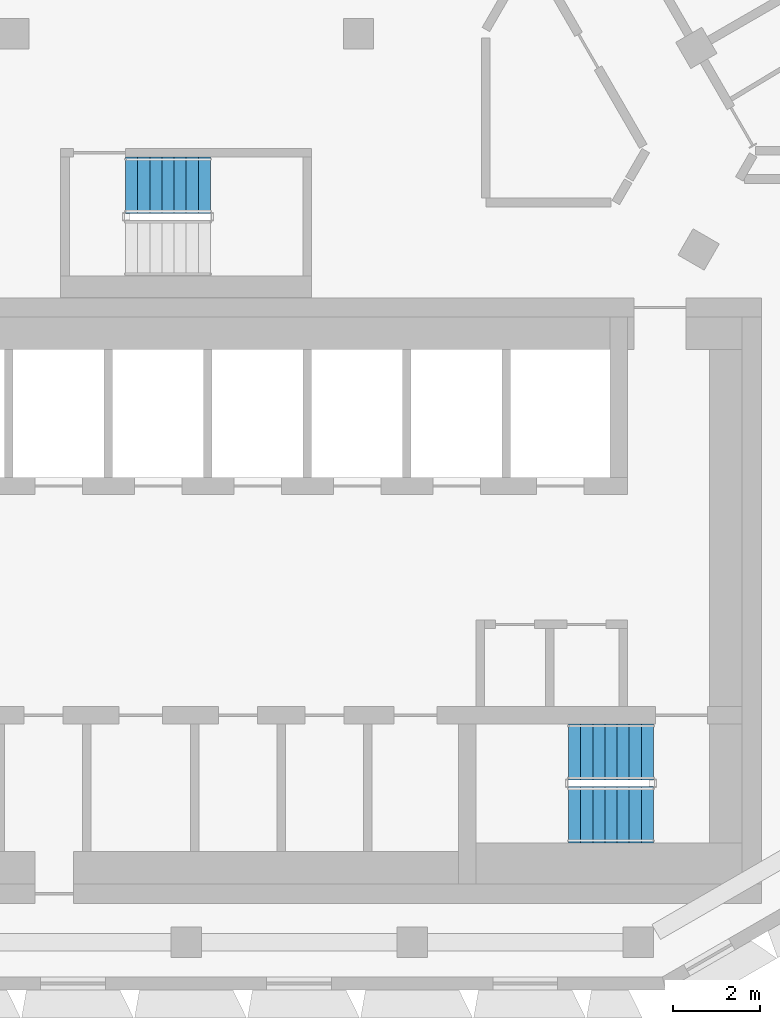
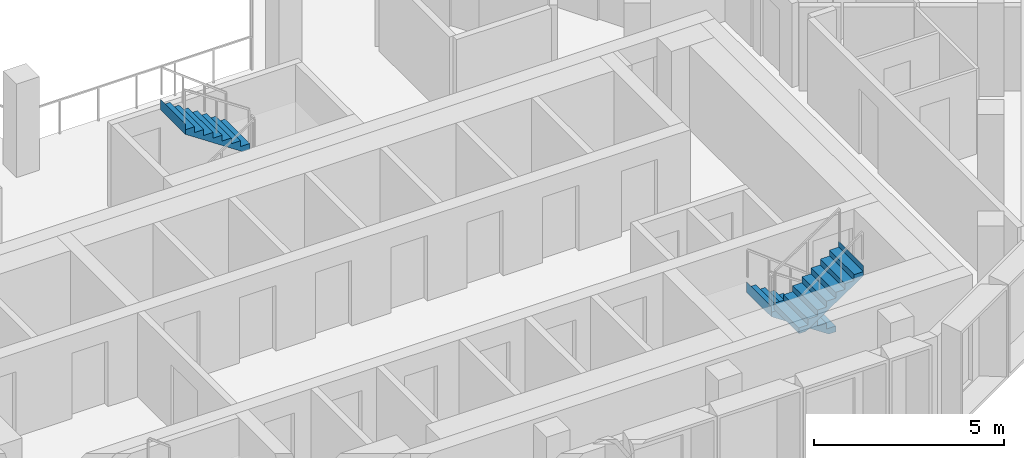
# One storey, part 10 of 15: 3 stair flights, 2 elements without a shape of their own.
"""IFC4 building model written with IfcOpenShell, lengths in metres."""

from ifc_helpers import new_model, si_unit, direction, frame, origin, place, context, subcontext, project, spatial, triangles, material, type_object, element, aggregate, save


model = new_model("IFC4")

# Units and contexts
model_context = context("Model", 3, precision=1e-05, world=origin(), true_north=direction((0.0, 1.0)))
body_context = subcontext(model_context, "Body", "Model", "MODEL_VIEW")
ifc_project = project(units=[si_unit("LENGTHUNIT", "METRE"), si_unit("AREAUNIT", "SQUARE_METRE"), si_unit("VOLUMEUNIT", "CUBIC_METRE"), si_unit("PLANEANGLEUNIT", "RADIAN"), si_unit("MASSUNIT", "GRAM", prefix="KILO")], contexts=[model_context])

# Site, building, storey
site_placement = place(None, origin())
site = spatial("IfcSite", under=ifc_project, at=site_placement, CompositionType="ELEMENT")
building_placement = place(site_placement, origin())
building = spatial("IfcBuilding", under=site, at=building_placement, Name="Beryl Residences", CompositionType="ELEMENT")
storey_placement = place(building_placement, frame((0.0, 0.0, 205.800048828125)))
storey = spatial("IfcBuildingStorey", under=building, at=storey_placement, Name="L63", CompositionType="ELEMENT", Elevation=205.800048828125)

# Stair, stair flights
ifc_material_1 = material(Name="Concrete C40/50", Category="concrete")
stair_type = type_object("IfcStairType", Name="ST1 protected exit stair, half-turn, 1300 mm flights", PredefinedType="HALF_TURN_STAIR", material=ifc_material_1)
stair_1_placement = place(storey_placement, origin())
stair_1 = element("IfcStair", 1, at=stair_1_placement, inside=storey, type_object=stair_type, Name="L63 PROTECTED EXIT STAIR ST-3", PredefinedType="HALF_TURN_STAIR")
ifc_material_2 = material(Name="Concrete C40/50", Category="concrete")
stair_flight_type = type_object("IfcStairFlightType", Name="SF1 stair flight 1300 mm", PredefinedType="STRAIGHT", material=ifc_material_2)
stair_flight_1_placement = place(storey_placement, frame((10.800048828125, -15.5, 0.0), z_axis=(0.0, 0.0, 1.0), x_axis=(-1.0, 0.0, 0.0)))
stair_flight_1 = element("IfcStairFlight", 2, at=stair_flight_1_placement, type_object=stair_flight_type, Name="ST-3 flight 1", NumberOfRisers=8, NumberOfTreads=7, PredefinedType="STRAIGHT", RiserHeight=0.1875, TreadLength=0.28, context=body_context, shape_type="Tessellation", body=[
    triangles([(0.0, -0.64990234375, 0.0), (0.0, -0.324951171875, 0.0), (0.0, 0.0, 0.0), (0.0, 0.324951171875, 0.0), (0.0, 0.64990234375, 0.0), (0.0, -0.64990234375, 0.1875), (0.0, -0.324951171875, 0.1875), (0.0, 0.0, 0.1875), (0.0, 0.324951171875, 0.1875), (0.0, 0.64990234375, 0.1875), (0.280029296875, -0.64990234375, 0.1875), (0.280029296875, -0.324951171875, 0.1875), (0.280029296875, 0.0, 0.1875), (0.280029296875, 0.324951171875, 0.1875), (0.280029296875, 0.64990234375, 0.1875), (0.280029296875, -0.64990234375, 0.375), (0.280029296875, -0.324951171875, 0.375), (0.280029296875, 0.0, 0.375), (0.280029296875, 0.324951171875, 0.375), (0.280029296875, 0.64990234375, 0.375), (0.56005859375, -0.64990234375, 0.375), (0.56005859375, -0.324951171875, 0.375), (0.56005859375, 0.0, 0.375), (0.56005859375, 0.324951171875, 0.375), (0.56005859375, 0.64990234375, 0.375), (0.56005859375, -0.64990234375, 0.5625), (0.56005859375, -0.324951171875, 0.5625), (0.56005859375, 0.0, 0.5625), (0.56005859375, 0.324951171875, 0.5625), (0.56005859375, 0.64990234375, 0.5625), (0.840087890625, -0.64990234375, 0.5625), (0.840087890625, -0.324951171875, 0.5625), (0.840087890625, 0.0, 0.5625), (0.840087890625, 0.324951171875, 0.5625), (0.840087890625, 0.64990234375, 0.5625), (0.840087890625, -0.64990234375, 0.75), (0.840087890625, -0.324951171875, 0.75), (0.840087890625, 0.0, 0.75), (0.840087890625, 0.324951171875, 0.75), (0.840087890625, 0.64990234375, 0.75), (1.1201171875, -0.64990234375, 0.75), (1.1201171875, -0.324951171875, 0.75), (1.1201171875, 0.0, 0.75), (1.1201171875, 0.324951171875, 0.75), (1.1201171875, 0.64990234375, 0.75), (1.1201171875, -0.64990234375, 0.9375), (1.1201171875, -0.324951171875, 0.9375), (1.1201171875, 0.0, 0.9375), (1.1201171875, 0.324951171875, 0.9375), (1.1201171875, 0.64990234375, 0.9375), (1.39990234375, -0.64990234375, 0.9375), (1.39990234375, -0.324951171875, 0.9375), (1.39990234375, 0.0, 0.9375), (1.39990234375, 0.324951171875, 0.9375), (1.39990234375, 0.64990234375, 0.9375), (1.39990234375, -0.64990234375, 1.125), (1.39990234375, -0.324951171875, 1.125), (1.39990234375, 0.0, 1.125), (1.39990234375, 0.324951171875, 1.125), (1.39990234375, 0.64990234375, 1.125), (1.679931640625, -0.64990234375, 1.125), (1.679931640625, -0.324951171875, 1.125), (1.679931640625, 0.0, 1.125), (1.679931640625, 0.324951171875, 1.125), (1.679931640625, 0.64990234375, 1.125), (1.679931640625, -0.64990234375, 1.3125), (1.679931640625, -0.324951171875, 1.3125), (1.679931640625, 0.0, 1.3125), (1.679931640625, 0.324951171875, 1.3125), (1.679931640625, 0.64990234375, 1.3125), (1.9599609375, -0.64990234375, 1.3125), (1.9599609375, -0.324951171875, 1.3125), (1.9599609375, 0.0, 1.3125), (1.9599609375, 0.324951171875, 1.3125), (1.9599609375, 0.64990234375, 1.3125), (1.9599609375, -0.64990234375, 1.5), (1.9599609375, -0.324951171875, 1.5), (1.9599609375, 0.0, 1.5), (1.9599609375, 0.324951171875, 1.5), (1.9599609375, 0.64990234375, 1.5), (1.9609375, -0.64990234375, 1.5), (1.9609375, -0.324951171875, 1.5), (1.9609375, 0.0, 1.5), (1.9609375, 0.324951171875, 1.5), (1.9609375, 0.64990234375, 1.5), (1.9609375, -0.64990234375, 1.16796875), (1.9609375, -0.324951171875, 1.16796875), (1.9609375, 0.0, 1.16796875), (1.9609375, 0.324951171875, 1.16796875), (1.9609375, 0.64990234375, 1.16796875), (0.216796875, -0.64990234375, 0.0), (0.216796875, -0.324951171875, 0.0), (0.216796875, 0.0, 0.0), (0.216796875, 0.324951171875, 0.0), (0.216796875, 0.64990234375, 0.0)], [[1, 6, 7], [1, 7, 2], [2, 7, 8], [2, 8, 3], [3, 8, 9], [3, 9, 4], [4, 9, 10], [4, 10, 5], [6, 11, 12], [6, 12, 7], [7, 12, 13], [7, 13, 8], [8, 13, 14], [8, 14, 9], [9, 14, 15], [9, 15, 10], [11, 16, 17], [11, 17, 12], [12, 17, 18], [12, 18, 13], [13, 18, 19], [13, 19, 14], [14, 19, 20], [14, 20, 15], [16, 21, 22], [16, 22, 17], [17, 22, 23], [17, 23, 18], [18, 23, 24], [18, 24, 19], [19, 24, 25], [19, 25, 20], [21, 26, 27], [21, 27, 22], [22, 27, 28], [22, 28, 23], [23, 28, 29], [23, 29, 24], [24, 29, 30], [24, 30, 25], [26, 31, 32], [26, 32, 27], [27, 32, 33], [27, 33, 28], [28, 33, 34], [28, 34, 29], [29, 34, 35], [29, 35, 30], [31, 36, 37], [31, 37, 32], [32, 37, 38], [32, 38, 33], [33, 38, 39], [33, 39, 34], [34, 39, 40], [34, 40, 35], [36, 41, 42], [36, 42, 37], [37, 42, 43], [37, 43, 38], [38, 43, 44], [38, 44, 39], [39, 44, 45], [39, 45, 40], [41, 46, 47], [41, 47, 42], [42, 47, 48], [42, 48, 43], [43, 48, 49], [43, 49, 44], [44, 49, 50], [44, 50, 45], [46, 51, 52], [46, 52, 47], [47, 52, 53], [47, 53, 48], [48, 53, 54], [48, 54, 49], [49, 54, 55], [49, 55, 50], [51, 56, 57], [51, 57, 52], [52, 57, 58], [52, 58, 53], [53, 58, 59], [53, 59, 54], [54, 59, 60], [54, 60, 55], [56, 61, 62], [56, 62, 57], [57, 62, 63], [57, 63, 58], [58, 63, 64], [58, 64, 59], [59, 64, 65], [59, 65, 60], [61, 66, 67], [61, 67, 62], [62, 67, 68], [62, 68, 63], [63, 68, 69], [63, 69, 64], [64, 69, 70], [64, 70, 65], [66, 71, 72], [66, 72, 67], [67, 72, 73], [67, 73, 68], [68, 73, 74], [68, 74, 69], [69, 74, 75], [69, 75, 70], [71, 76, 77], [71, 77, 72], [72, 77, 78], [72, 78, 73], [73, 78, 79], [73, 79, 74], [74, 79, 80], [74, 80, 75], [76, 81, 82], [76, 82, 77], [77, 82, 83], [77, 83, 78], [78, 83, 84], [78, 84, 79], [79, 84, 85], [79, 85, 80], [81, 86, 87], [81, 87, 82], [82, 87, 88], [82, 88, 83], [83, 88, 89], [83, 89, 84], [84, 89, 90], [84, 90, 85], [86, 91, 92], [86, 92, 87], [87, 92, 93], [87, 93, 88], [88, 93, 94], [88, 94, 89], [89, 94, 95], [89, 95, 90], [91, 1, 2], [91, 2, 92], [92, 2, 3], [92, 3, 93], [93, 3, 4], [93, 4, 94], [94, 4, 5], [94, 5, 95], [1, 91, 86], [5, 90, 95], [86, 81, 76], [90, 80, 85], [86, 76, 71], [90, 75, 80], [86, 71, 66], [90, 70, 75], [86, 66, 61], [90, 65, 70], [61, 56, 51], [65, 55, 60], [86, 61, 51], [90, 55, 65], [51, 46, 41], [55, 45, 50], [86, 51, 41], [90, 45, 55], [41, 36, 31], [45, 35, 40], [86, 41, 31], [90, 35, 45], [31, 26, 21], [35, 25, 30], [86, 31, 21], [90, 25, 35], [21, 16, 11], [25, 15, 20], [86, 21, 11], [90, 15, 25], [1, 86, 11], [5, 15, 90], [11, 6, 1], [15, 5, 10]], closed=True),
])
stair_flight_2_placement = place(storey_placement, frame((8.840087890625, -16.949951171875, 1.5), z_axis=(0.0, 0.0, 1.0), x_axis=(1.0, 0.0, 0.0)))
stair_flight_2 = element("IfcStairFlight", 3, at=stair_flight_2_placement, type_object=stair_flight_type, Name="ST-3 flight 2", NumberOfRisers=8, NumberOfTreads=7, PredefinedType="STRAIGHT", RiserHeight=0.1875, TreadLength=0.28, context=body_context, shape_type="Tessellation", body=[
    triangles([(0.0, -0.64990234375, 0.0), (0.0, -0.324951171875, 0.0), (0.0, 0.0, 0.0), (0.0, 0.324951171875, 0.0), (0.0, 0.64990234375, 0.0), (0.0, -0.64990234375, 0.1875), (0.0, -0.324951171875, 0.1875), (0.0, 0.0, 0.1875), (0.0, 0.324951171875, 0.1875), (0.0, 0.64990234375, 0.1875), (0.280029296875, -0.64990234375, 0.1875), (0.280029296875, -0.324951171875, 0.1875), (0.280029296875, 0.0, 0.1875), (0.280029296875, 0.324951171875, 0.1875), (0.280029296875, 0.64990234375, 0.1875), (0.280029296875, -0.64990234375, 0.375), (0.280029296875, -0.324951171875, 0.375), (0.280029296875, 0.0, 0.375), (0.280029296875, 0.324951171875, 0.375), (0.280029296875, 0.64990234375, 0.375), (0.56005859375, -0.64990234375, 0.375), (0.56005859375, -0.324951171875, 0.375), (0.56005859375, 0.0, 0.375), (0.56005859375, 0.324951171875, 0.375), (0.56005859375, 0.64990234375, 0.375), (0.56005859375, -0.64990234375, 0.5625), (0.56005859375, -0.324951171875, 0.5625), (0.56005859375, 0.0, 0.5625), (0.56005859375, 0.324951171875, 0.5625), (0.56005859375, 0.64990234375, 0.5625), (0.840087890625, -0.64990234375, 0.5625), (0.840087890625, -0.324951171875, 0.5625), (0.840087890625, 0.0, 0.5625), (0.840087890625, 0.324951171875, 0.5625), (0.840087890625, 0.64990234375, 0.5625), (0.840087890625, -0.64990234375, 0.75), (0.840087890625, -0.324951171875, 0.75), (0.840087890625, 0.0, 0.75), (0.840087890625, 0.324951171875, 0.75), (0.840087890625, 0.64990234375, 0.75), (1.1201171875, -0.64990234375, 0.75), (1.1201171875, -0.324951171875, 0.75), (1.1201171875, 0.0, 0.75), (1.1201171875, 0.324951171875, 0.75), (1.1201171875, 0.64990234375, 0.75), (1.1201171875, -0.64990234375, 0.9375), (1.1201171875, -0.324951171875, 0.9375), (1.1201171875, 0.0, 0.9375), (1.1201171875, 0.324951171875, 0.9375), (1.1201171875, 0.64990234375, 0.9375), (1.39990234375, -0.64990234375, 0.9375), (1.39990234375, -0.324951171875, 0.9375), (1.39990234375, 0.0, 0.9375), (1.39990234375, 0.324951171875, 0.9375), (1.39990234375, 0.64990234375, 0.9375), (1.39990234375, -0.64990234375, 1.125), (1.39990234375, -0.324951171875, 1.125), (1.39990234375, 0.0, 1.125), (1.39990234375, 0.324951171875, 1.125), (1.39990234375, 0.64990234375, 1.125), (1.679931640625, -0.64990234375, 1.125), (1.679931640625, -0.324951171875, 1.125), (1.679931640625, 0.0, 1.125), (1.679931640625, 0.324951171875, 1.125), (1.679931640625, 0.64990234375, 1.125), (1.679931640625, -0.64990234375, 1.3125), (1.679931640625, -0.324951171875, 1.3125), (1.679931640625, 0.0, 1.3125), (1.679931640625, 0.324951171875, 1.3125), (1.679931640625, 0.64990234375, 1.3125), (1.9599609375, -0.64990234375, 1.3125), (1.9599609375, -0.324951171875, 1.3125), (1.9599609375, 0.0, 1.3125), (1.9599609375, 0.324951171875, 1.3125), (1.9599609375, 0.64990234375, 1.3125), (1.9599609375, -0.64990234375, 1.5), (1.9599609375, -0.324951171875, 1.5), (1.9599609375, 0.0, 1.5), (1.9599609375, 0.324951171875, 1.5), (1.9599609375, 0.64990234375, 1.5), (1.9609375, -0.64990234375, 1.5), (1.9609375, -0.324951171875, 1.5), (1.9609375, 0.0, 1.5), (1.9609375, 0.324951171875, 1.5), (1.9609375, 0.64990234375, 1.5), (1.9609375, -0.64990234375, 1.16796875), (1.9609375, -0.324951171875, 1.16796875), (1.9609375, 0.0, 1.16796875), (1.9609375, 0.324951171875, 1.16796875), (1.9609375, 0.64990234375, 1.16796875), (0.216796875, -0.64990234375, 0.0), (0.216796875, -0.324951171875, 0.0), (0.216796875, 0.0, 0.0), (0.216796875, 0.324951171875, 0.0), (0.216796875, 0.64990234375, 0.0)], [[1, 6, 7], [1, 7, 2], [2, 7, 8], [2, 8, 3], [3, 8, 9], [3, 9, 4], [4, 9, 10], [4, 10, 5], [6, 11, 12], [6, 12, 7], [7, 12, 13], [7, 13, 8], [8, 13, 14], [8, 14, 9], [9, 14, 15], [9, 15, 10], [11, 16, 17], [11, 17, 12], [12, 17, 18], [12, 18, 13], [13, 18, 19], [13, 19, 14], [14, 19, 20], [14, 20, 15], [16, 21, 22], [16, 22, 17], [17, 22, 23], [17, 23, 18], [18, 23, 24], [18, 24, 19], [19, 24, 25], [19, 25, 20], [21, 26, 27], [21, 27, 22], [22, 27, 28], [22, 28, 23], [23, 28, 29], [23, 29, 24], [24, 29, 30], [24, 30, 25], [26, 31, 32], [26, 32, 27], [27, 32, 33], [27, 33, 28], [28, 33, 34], [28, 34, 29], [29, 34, 35], [29, 35, 30], [31, 36, 37], [31, 37, 32], [32, 37, 38], [32, 38, 33], [33, 38, 39], [33, 39, 34], [34, 39, 40], [34, 40, 35], [36, 41, 42], [36, 42, 37], [37, 42, 43], [37, 43, 38], [38, 43, 44], [38, 44, 39], [39, 44, 45], [39, 45, 40], [41, 46, 47], [41, 47, 42], [42, 47, 48], [42, 48, 43], [43, 48, 49], [43, 49, 44], [44, 49, 50], [44, 50, 45], [46, 51, 52], [46, 52, 47], [47, 52, 53], [47, 53, 48], [48, 53, 54], [48, 54, 49], [49, 54, 55], [49, 55, 50], [51, 56, 57], [51, 57, 52], [52, 57, 58], [52, 58, 53], [53, 58, 59], [53, 59, 54], [54, 59, 60], [54, 60, 55], [56, 61, 62], [56, 62, 57], [57, 62, 63], [57, 63, 58], [58, 63, 64], [58, 64, 59], [59, 64, 65], [59, 65, 60], [61, 66, 67], [61, 67, 62], [62, 67, 68], [62, 68, 63], [63, 68, 69], [63, 69, 64], [64, 69, 70], [64, 70, 65], [66, 71, 72], [66, 72, 67], [67, 72, 73], [67, 73, 68], [68, 73, 74], [68, 74, 69], [69, 74, 75], [69, 75, 70], [71, 76, 77], [71, 77, 72], [72, 77, 78], [72, 78, 73], [73, 78, 79], [73, 79, 74], [74, 79, 80], [74, 80, 75], [76, 81, 82], [76, 82, 77], [77, 82, 83], [77, 83, 78], [78, 83, 84], [78, 84, 79], [79, 84, 85], [79, 85, 80], [81, 86, 87], [81, 87, 82], [82, 87, 88], [82, 88, 83], [83, 88, 89], [83, 89, 84], [84, 89, 90], [84, 90, 85], [86, 91, 92], [86, 92, 87], [87, 92, 93], [87, 93, 88], [88, 93, 94], [88, 94, 89], [89, 94, 95], [89, 95, 90], [91, 1, 2], [91, 2, 92], [92, 2, 3], [92, 3, 93], [93, 3, 4], [93, 4, 94], [94, 4, 5], [94, 5, 95], [1, 91, 86], [5, 90, 95], [86, 81, 76], [90, 80, 85], [86, 76, 71], [90, 75, 80], [86, 71, 66], [90, 70, 75], [86, 66, 61], [90, 65, 70], [61, 56, 51], [65, 55, 60], [86, 61, 51], [90, 55, 65], [51, 46, 41], [55, 45, 50], [86, 51, 41], [90, 45, 55], [41, 36, 31], [45, 35, 40], [86, 41, 31], [90, 35, 45], [31, 26, 21], [35, 25, 30], [86, 31, 21], [90, 25, 35], [21, 16, 11], [25, 15, 20], [86, 21, 11], [90, 15, 25], [1, 86, 11], [5, 15, 90], [11, 6, 1], [15, 5, 10]], closed=True),
])
aggregate(stair_1, [stair_flight_1, stair_flight_2])

# Stair, stair flight
stair_2_placement = place(storey_placement, origin())
stair_2 = element("IfcStair", 4, at=stair_2_placement, inside=storey, type_object=stair_type, Name="L63 PROTECTED EXIT STAIR ST-4", PredefinedType="HALF_TURN_STAIR")
stair_flight_3_placement = place(storey_placement, frame((0.56005859375, -2.39990234375, 1.5), z_axis=(0.0, 0.0, 1.0), x_axis=(-1.0, 0.0, 0.0)))
stair_flight_3 = element("IfcStairFlight", 5, at=stair_flight_3_placement, type_object=stair_flight_type, Name="ST-4 flight 2", NumberOfRisers=8, NumberOfTreads=7, PredefinedType="STRAIGHT", RiserHeight=0.1875, TreadLength=0.28, context=body_context, shape_type="Tessellation", body=[
    triangles([(0.0, -0.64990234375, 0.0), (0.0, -0.324951171875, 0.0), (0.0, 0.0, 0.0), (0.0, 0.324951171875, 0.0), (0.0, 0.64990234375, 0.0), (0.0, -0.64990234375, 0.1875), (0.0, -0.324951171875, 0.1875), (0.0, 0.0, 0.1875), (0.0, 0.324951171875, 0.1875), (0.0, 0.64990234375, 0.1875), (0.280029296875, -0.64990234375, 0.1875), (0.280029296875, -0.324951171875, 0.1875), (0.280029296875, 0.0, 0.1875), (0.280029296875, 0.324951171875, 0.1875), (0.280029296875, 0.64990234375, 0.1875), (0.280029296875, -0.64990234375, 0.375), (0.280029296875, -0.324951171875, 0.375), (0.280029296875, 0.0, 0.375), (0.280029296875, 0.324951171875, 0.375), (0.280029296875, 0.64990234375, 0.375), (0.56005859375, -0.64990234375, 0.375), (0.56005859375, -0.324951171875, 0.375), (0.56005859375, 0.0, 0.375), (0.56005859375, 0.324951171875, 0.375), (0.56005859375, 0.64990234375, 0.375), (0.56005859375, -0.64990234375, 0.5625), (0.56005859375, -0.324951171875, 0.5625), (0.56005859375, 0.0, 0.5625), (0.56005859375, 0.324951171875, 0.5625), (0.56005859375, 0.64990234375, 0.5625), (0.840087890625, -0.64990234375, 0.5625), (0.840087890625, -0.324951171875, 0.5625), (0.840087890625, 0.0, 0.5625), (0.840087890625, 0.324951171875, 0.5625), (0.840087890625, 0.64990234375, 0.5625), (0.840087890625, -0.64990234375, 0.75), (0.840087890625, -0.324951171875, 0.75), (0.840087890625, 0.0, 0.75), (0.840087890625, 0.324951171875, 0.75), (0.840087890625, 0.64990234375, 0.75), (1.1201171875, -0.64990234375, 0.75), (1.1201171875, -0.324951171875, 0.75), (1.1201171875, 0.0, 0.75), (1.1201171875, 0.324951171875, 0.75), (1.1201171875, 0.64990234375, 0.75), (1.1201171875, -0.64990234375, 0.9375), (1.1201171875, -0.324951171875, 0.9375), (1.1201171875, 0.0, 0.9375), (1.1201171875, 0.324951171875, 0.9375), (1.1201171875, 0.64990234375, 0.9375), (1.39990234375, -0.64990234375, 0.9375), (1.39990234375, -0.324951171875, 0.9375), (1.39990234375, 0.0, 0.9375), (1.39990234375, 0.324951171875, 0.9375), (1.39990234375, 0.64990234375, 0.9375), (1.39990234375, -0.64990234375, 1.125), (1.39990234375, -0.324951171875, 1.125), (1.39990234375, 0.0, 1.125), (1.39990234375, 0.324951171875, 1.125), (1.39990234375, 0.64990234375, 1.125), (1.679931640625, -0.64990234375, 1.125), (1.679931640625, -0.324951171875, 1.125), (1.679931640625, 0.0, 1.125), (1.679931640625, 0.324951171875, 1.125), (1.679931640625, 0.64990234375, 1.125), (1.679931640625, -0.64990234375, 1.3125), (1.679931640625, -0.324951171875, 1.3125), (1.679931640625, 0.0, 1.3125), (1.679931640625, 0.324951171875, 1.3125), (1.679931640625, 0.64990234375, 1.3125), (1.9599609375, -0.64990234375, 1.3125), (1.9599609375, -0.324951171875, 1.3125), (1.9599609375, 0.0, 1.3125), (1.9599609375, 0.324951171875, 1.3125), (1.9599609375, 0.64990234375, 1.3125), (1.9599609375, -0.64990234375, 1.5), (1.9599609375, -0.324951171875, 1.5), (1.9599609375, 0.0, 1.5), (1.9599609375, 0.324951171875, 1.5), (1.9599609375, 0.64990234375, 1.5), (1.9609375, -0.64990234375, 1.5), (1.9609375, -0.324951171875, 1.5), (1.9609375, 0.0, 1.5), (1.9609375, 0.324951171875, 1.5), (1.9609375, 0.64990234375, 1.5), (1.9609375, -0.64990234375, 1.16796875), (1.9609375, -0.324951171875, 1.16796875), (1.9609375, 0.0, 1.16796875), (1.9609375, 0.324951171875, 1.16796875), (1.9609375, 0.64990234375, 1.16796875), (0.216796875, -0.64990234375, 0.0), (0.216796875, -0.324951171875, 0.0), (0.216796875, 0.0, 0.0), (0.216796875, 0.324951171875, 0.0), (0.216796875, 0.64990234375, 0.0)], [[1, 6, 7], [1, 7, 2], [2, 7, 8], [2, 8, 3], [3, 8, 9], [3, 9, 4], [4, 9, 10], [4, 10, 5], [6, 11, 12], [6, 12, 7], [7, 12, 13], [7, 13, 8], [8, 13, 14], [8, 14, 9], [9, 14, 15], [9, 15, 10], [11, 16, 17], [11, 17, 12], [12, 17, 18], [12, 18, 13], [13, 18, 19], [13, 19, 14], [14, 19, 20], [14, 20, 15], [16, 21, 22], [16, 22, 17], [17, 22, 23], [17, 23, 18], [18, 23, 24], [18, 24, 19], [19, 24, 25], [19, 25, 20], [21, 26, 27], [21, 27, 22], [22, 27, 28], [22, 28, 23], [23, 28, 29], [23, 29, 24], [24, 29, 30], [24, 30, 25], [26, 31, 32], [26, 32, 27], [27, 32, 33], [27, 33, 28], [28, 33, 34], [28, 34, 29], [29, 34, 35], [29, 35, 30], [31, 36, 37], [31, 37, 32], [32, 37, 38], [32, 38, 33], [33, 38, 39], [33, 39, 34], [34, 39, 40], [34, 40, 35], [36, 41, 42], [36, 42, 37], [37, 42, 43], [37, 43, 38], [38, 43, 44], [38, 44, 39], [39, 44, 45], [39, 45, 40], [41, 46, 47], [41, 47, 42], [42, 47, 48], [42, 48, 43], [43, 48, 49], [43, 49, 44], [44, 49, 50], [44, 50, 45], [46, 51, 52], [46, 52, 47], [47, 52, 53], [47, 53, 48], [48, 53, 54], [48, 54, 49], [49, 54, 55], [49, 55, 50], [51, 56, 57], [51, 57, 52], [52, 57, 58], [52, 58, 53], [53, 58, 59], [53, 59, 54], [54, 59, 60], [54, 60, 55], [56, 61, 62], [56, 62, 57], [57, 62, 63], [57, 63, 58], [58, 63, 64], [58, 64, 59], [59, 64, 65], [59, 65, 60], [61, 66, 67], [61, 67, 62], [62, 67, 68], [62, 68, 63], [63, 68, 69], [63, 69, 64], [64, 69, 70], [64, 70, 65], [66, 71, 72], [66, 72, 67], [67, 72, 73], [67, 73, 68], [68, 73, 74], [68, 74, 69], [69, 74, 75], [69, 75, 70], [71, 76, 77], [71, 77, 72], [72, 77, 78], [72, 78, 73], [73, 78, 79], [73, 79, 74], [74, 79, 80], [74, 80, 75], [76, 81, 82], [76, 82, 77], [77, 82, 83], [77, 83, 78], [78, 83, 84], [78, 84, 79], [79, 84, 85], [79, 85, 80], [81, 86, 87], [81, 87, 82], [82, 87, 88], [82, 88, 83], [83, 88, 89], [83, 89, 84], [84, 89, 90], [84, 90, 85], [86, 91, 92], [86, 92, 87], [87, 92, 93], [87, 93, 88], [88, 93, 94], [88, 94, 89], [89, 94, 95], [89, 95, 90], [91, 1, 2], [91, 2, 92], [92, 2, 3], [92, 3, 93], [93, 3, 4], [93, 4, 94], [94, 4, 5], [94, 5, 95], [1, 91, 86], [5, 90, 95], [86, 81, 76], [90, 80, 85], [86, 76, 71], [90, 75, 80], [86, 71, 66], [90, 70, 75], [86, 66, 61], [90, 65, 70], [61, 56, 51], [65, 55, 60], [86, 61, 51], [90, 55, 65], [51, 46, 41], [55, 45, 50], [86, 51, 41], [90, 45, 55], [41, 36, 31], [45, 35, 40], [86, 41, 31], [90, 35, 45], [31, 26, 21], [35, 25, 30], [86, 31, 21], [90, 25, 35], [21, 16, 11], [25, 15, 20], [86, 21, 11], [90, 15, 25], [1, 86, 11], [5, 15, 90], [11, 6, 1], [15, 5, 10]], closed=True),
])
aggregate(stair_2, [stair_flight_3])

save(model, "model.ifc")
